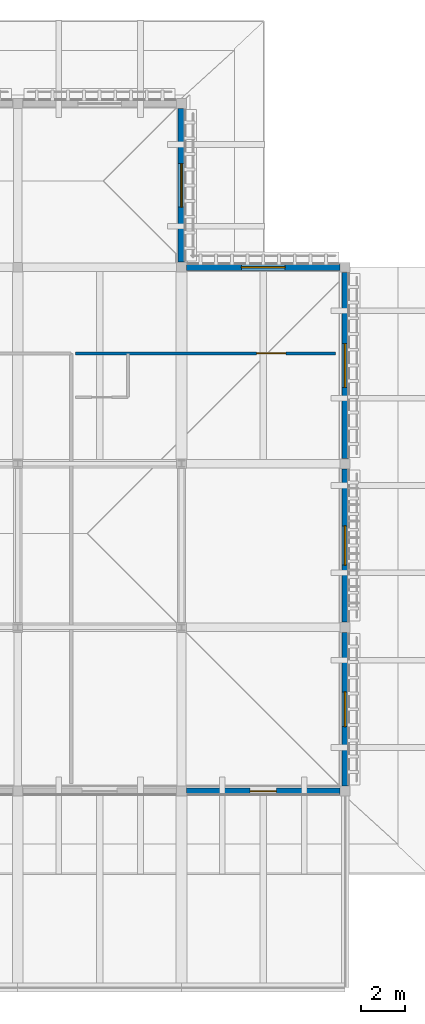
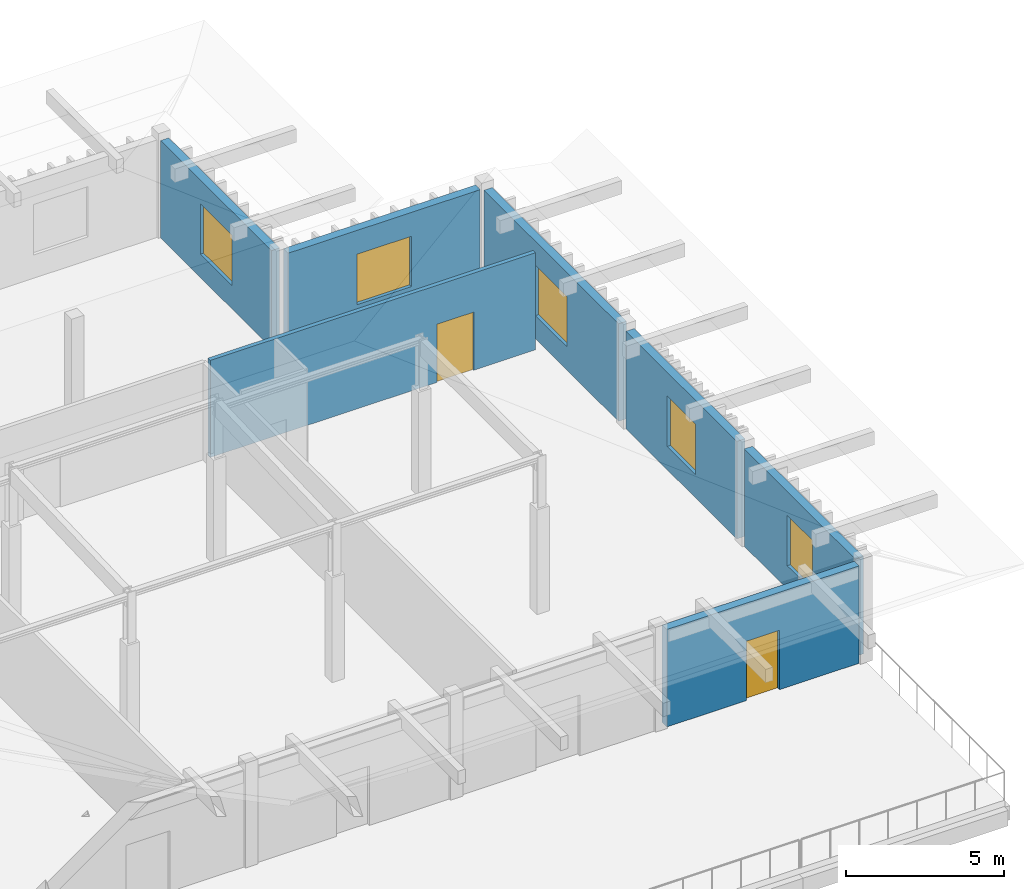
# One storey, part 28 of 48: 7 walls, 5 windows, 2 doors, 7 openings.
"""IFC4 building model written with IfcOpenShell, lengths in metres."""

from ifc_helpers import new_model, si_unit, direction, frame, frame_2d, origin, place, context, subcontext, project, spatial, rectangle, extrude, material, layer, layer_set, type_object, element, fill, save


model = new_model("IFC4")

# Units and contexts
model_context = context("Model", 3, precision=1e-05, world=origin(), true_north=direction((0.0, 1.0)))
body_context = subcontext(model_context, "Body", "Model", "MODEL_VIEW")
ifc_project = project(units=[si_unit("LENGTHUNIT", "METRE"), si_unit("AREAUNIT", "SQUARE_METRE"), si_unit("VOLUMEUNIT", "CUBIC_METRE"), si_unit("PLANEANGLEUNIT", "RADIAN"), si_unit("MASSUNIT", "GRAM", prefix="KILO")], contexts=[model_context])

# Site, building, storey
site_placement = place(None, origin())
site = spatial("IfcSite", under=ifc_project, at=site_placement, CompositionType="ELEMENT")
building_placement = place(site_placement, origin())
building = spatial("IfcBuilding", under=site, at=building_placement, Name="Dalvernix Boulevard General Hospital", CompositionType="ELEMENT")
storey_placement = place(building_placement, frame((0.0, 0.0, 17.85009765625)))
storey = spatial("IfcBuildingStorey", under=building, at=storey_placement, Name="L04", CompositionType="ELEMENT", Elevation=17.85009765625)

# Wall, opening, window
ifc_material_1 = material(Name="Pressed Catalan clay brick and ceramic spandrel wall C35/45", Category="masonry")
ifc_layer_1 = layer(ifc_material_1, 0.300048828125)
ifc_layer_set_1 = layer_set([ifc_layer_1], Name="Pressed Catalan clay brick and ceramic spandrel wall C35/45 (WAL-EW-02)")
wall_type_1 = type_object("IfcWallType", Name="WAL-EW-02", PredefinedType="STANDARD", material=ifc_layer_set_1)
wall_1_placement = place(storey_placement, frame((127.5, 116.764892578125, 0.0), z_axis=(0.0, 0.0, 1.0), x_axis=(0.0, -1.0, 0.0)))
wall_1 = element("IfcWall", 1, at=wall_1_placement, inside=storey, type_object=wall_type_1, Name="L04 Catalan brick external wall E 17-14", PredefinedType="STANDARD", context=body_context, shape_type="SweptSolid", body=[
    extrude(rectangle(XDim=7.02978515625, YDim=0.300048828125, at=frame_2d((3.514892578125, 0.0))), origin(), (0.0, 0.0, 1.0), 3.77001953125),
])
opening_1_placement = place(wall_1_placement, frame((2.514892578125, 0.0, 0.89990234375)))
opening_1 = element("IfcOpeningElement", 2, at=opening_1_placement, cuts=wall_1, Name="Opening WN-12", PredefinedType="OPENING", context=body_context, shape_type="SweptSolid", body=[
    extrude(rectangle(XDim=2.0, YDim=1.949951171875, at=frame_2d((1.0, 0.97509765625))), frame((0.0, 0.159912109375, 0.0), z_axis=(0.0, -1.0, 0.0), x_axis=(1.0, 0.0, 0.0)), (0.0, 0.0, 1.0), 0.320068359375),
])
ifc_material_2 = material(Name="Thermally broken aluminium frame with solar-control double glazing", Category="aluminium")
window_type_1 = type_object("IfcWindowType", Name="WIN-WN-12", PartitioningType="SINGLE_PANEL", PredefinedType="WINDOW", material=ifc_material_2)
window_1_placement = place(opening_1_placement, origin())
window_1 = element("IfcWindow", 3, at=window_1_placement, inside=storey, type_object=window_type_1, Name="L04 clinical window WN-12 E 17-14", OverallHeight=1.949951171875, OverallWidth=2.0, PartitioningType="SINGLE_PANEL", PredefinedType="WINDOW", context=body_context, shape_type="SweptSolid", body=[
    extrude(rectangle(XDim=2.0, YDim=1.949951171875, at=frame_2d((1.0, 0.97509765625))), frame((0.0, 0.030029296875, 0.0), z_axis=(0.0, -1.0, 0.0), x_axis=(1.0, 0.0, 0.0)), (0.0, 0.0, 1.0), 0.06005859375),
])
fill(opening_1, window_1)

# Wall, opening, door
wall_2_placement = place(storey_placement, frame((134.764892578125, 85.5, 0.0), z_axis=(0.0, 0.0, 1.0), x_axis=(-1.0, 0.0, 0.0)))
wall_2 = element("IfcWall", 4, at=wall_2_placement, inside=storey, type_object=wall_type_1, Name="L04 Catalan brick external wall S 17-11", PredefinedType="STANDARD", context=body_context, shape_type="SweptSolid", body=[
    extrude(rectangle(XDim=7.02978515625, YDim=0.300048828125, at=frame_2d((3.514892578125, 0.0))), origin(), (0.0, 0.0, 1.0), 3.77001953125),
])
opening_2_placement = place(wall_2_placement, frame((2.9150390625, 0.0, 0.0)))
opening_2 = element("IfcOpeningElement", 5, at=opening_2_placement, cuts=wall_2, Name="Opening TD-12", PredefinedType="OPENING", context=body_context, shape_type="SweptSolid", body=[
    extrude(rectangle(XDim=1.199951171875, YDim=2.300048828125, at=frame_2d((0.60009765625, 1.14990234375))), frame((0.0, 0.159912109375, 0.0), z_axis=(0.0, -1.0, 0.0), x_axis=(1.0, 0.0, 0.0)), (0.0, 0.0, 1.0), 0.320068359375),
])
ifc_material_3 = material(Name="Powder-coated aluminium and laminated safety glass", Category="aluminium")
door_type_1 = type_object("IfcDoorType", Name="DR-TD-12", OperationType="NOTDEFINED", PredefinedType="DOOR", material=ifc_material_3)
door_1_placement = place(opening_2_placement, origin())
door_1 = element("IfcDoor", 6, at=door_1_placement, inside=storey, type_object=door_type_1, Name="L04 ward terrace access door S 17-11", OperationType="SINGLE_SWING_RIGHT", OverallHeight=2.300048828125, OverallWidth=1.199951171875, PredefinedType="DOOR", context=body_context, shape_type="SweptSolid", body=[
    extrude(rectangle(XDim=1.199951171875, YDim=2.300048828125, at=frame_2d((0.60009765625, 1.14990234375))), frame((0.0, 0.02490234375, 0.0), z_axis=(0.0, -1.0, 0.0), x_axis=(1.0, 0.0, 0.0)), (0.0, 0.0, 1.0), 0.050048828125),
])
fill(opening_2, door_1)

# Wall, opening, window
wall_3_placement = place(storey_placement, frame((135.0, 92.764892578125, 0.0), z_axis=(0.0, 0.0, 1.0), x_axis=(0.0, -1.0, 0.0)))
wall_3 = element("IfcWall", 7, at=wall_3_placement, inside=storey, type_object=wall_type_1, Name="L04 Catalan brick external wall E 18-11", PredefinedType="STANDARD", context=body_context, shape_type="SweptSolid", body=[
    extrude(rectangle(XDim=7.02978515625, YDim=0.300048828125, at=frame_2d((3.514892578125, 0.0))), origin(), (0.0, 0.0, 1.0), 3.77001953125),
])
opening_3_placement = place(wall_3_placement, frame((2.715087890625, 0.0, 0.89990234375)))
opening_3 = element("IfcOpeningElement", 8, at=opening_3_placement, cuts=wall_3, Name="Opening WN-10", PredefinedType="OPENING", context=body_context, shape_type="SweptSolid", body=[
    extrude(rectangle(XDim=1.60009765625, YDim=1.949951171875, at=frame_2d((0.800048828125, 0.97509765625))), frame((0.0, 0.159912109375, 0.0), z_axis=(0.0, -1.0, 0.0), x_axis=(1.0, 0.0, 0.0)), (0.0, 0.0, 1.0), 0.320068359375),
])
window_type_2 = type_object("IfcWindowType", Name="WIN-WN-10", PartitioningType="SINGLE_PANEL", PredefinedType="WINDOW", material=ifc_material_2)
window_2_placement = place(opening_3_placement, origin())
window_2 = element("IfcWindow", 9, at=window_2_placement, inside=storey, type_object=window_type_2, Name="L04 clinical window WN-10 E 18-11", OverallHeight=1.949951171875, OverallWidth=1.60009765625, PartitioningType="SINGLE_PANEL", PredefinedType="WINDOW", context=body_context, shape_type="SweptSolid", body=[
    extrude(rectangle(XDim=1.60009765625, YDim=1.949951171875, at=frame_2d((0.800048828125, 0.97509765625))), frame((0.0, 0.030029296875, 0.0), z_axis=(0.0, -1.0, 0.0), x_axis=(1.0, 0.0, 0.0)), (0.0, 0.0, 1.0), 0.06005859375),
])
fill(opening_3, window_2)

wall_4_placement = place(storey_placement, frame((135.0, 100.264892578125, 0.0), z_axis=(0.0, 0.0, 1.0), x_axis=(0.0, -1.0, 0.0)))
wall_4 = element("IfcWall", 10, at=wall_4_placement, inside=storey, type_object=wall_type_1, Name="L04 Catalan brick external wall E 18-12", PredefinedType="STANDARD", context=body_context, shape_type="SweptSolid", body=[
    extrude(rectangle(XDim=7.02978515625, YDim=0.300048828125, at=frame_2d((3.514892578125, 0.0))), origin(), (0.0, 0.0, 1.0), 3.77001953125),
])
opening_4_placement = place(wall_4_placement, frame((2.614990234375, 0.0, 0.89990234375)))
opening_4 = element("IfcOpeningElement", 11, at=opening_4_placement, cuts=wall_4, Name="Opening WN-11", PredefinedType="OPENING", context=body_context, shape_type="SweptSolid", body=[
    extrude(rectangle(XDim=1.800048828125, YDim=1.949951171875, at=frame_2d((0.89990234375, 0.97509765625))), frame((0.0, 0.159912109375, 0.0), z_axis=(0.0, -1.0, 0.0), x_axis=(1.0, 0.0, 0.0)), (0.0, 0.0, 1.0), 0.320068359375),
])
window_type_3 = type_object("IfcWindowType", Name="WIN-WN-11", PartitioningType="SINGLE_PANEL", PredefinedType="WINDOW", material=ifc_material_2)
window_3_placement = place(opening_4_placement, origin())
window_3 = element("IfcWindow", 12, at=window_3_placement, inside=storey, type_object=window_type_3, Name="L04 clinical window WN-11 E 18-12", OverallHeight=1.949951171875, OverallWidth=1.800048828125, PartitioningType="SINGLE_PANEL", PredefinedType="WINDOW", context=body_context, shape_type="SweptSolid", body=[
    extrude(rectangle(XDim=1.800048828125, YDim=1.949951171875, at=frame_2d((0.89990234375, 0.97509765625))), frame((0.0, 0.030029296875, 0.0), z_axis=(0.0, -1.0, 0.0), x_axis=(1.0, 0.0, 0.0)), (0.0, 0.0, 1.0), 0.06005859375),
])
fill(opening_4, window_3)

wall_5_placement = place(storey_placement, frame((127.735107421875, 109.5, 0.0), z_axis=(0.0, 0.0, 1.0), x_axis=(1.0, 0.0, 0.0)))
wall_5 = element("IfcWall", 13, at=wall_5_placement, inside=storey, type_object=wall_type_1, Name="L04 Catalan brick external wall N 17-14", PredefinedType="STANDARD", context=body_context, shape_type="SweptSolid", body=[
    extrude(rectangle(XDim=7.02978515625, YDim=0.300048828125, at=frame_2d((3.514892578125, 0.0))), origin(), (0.0, 0.0, 1.0), 3.77001953125),
])
opening_5_placement = place(wall_5_placement, frame((2.514892578125, 0.0, 0.89990234375)))
opening_5 = element("IfcOpeningElement", 14, at=opening_5_placement, cuts=wall_5, Name="Opening WN-12", PredefinedType="OPENING", context=body_context, shape_type="SweptSolid", body=[
    extrude(rectangle(XDim=2.0, YDim=1.949951171875, at=frame_2d((1.0, 0.97509765625))), frame((0.0, 0.159912109375, 0.0), z_axis=(0.0, -1.0, 0.0), x_axis=(1.0, 0.0, 0.0)), (0.0, 0.0, 1.0), 0.320068359375),
])
window_4_placement = place(opening_5_placement, origin())
window_4 = element("IfcWindow", 15, at=window_4_placement, inside=storey, type_object=window_type_1, Name="L04 clinical window WN-12 N 17-14", OverallHeight=1.949951171875, OverallWidth=2.0, PartitioningType="SINGLE_PANEL", PredefinedType="WINDOW", context=body_context, shape_type="SweptSolid", body=[
    extrude(rectangle(XDim=2.0, YDim=1.949951171875, at=frame_2d((1.0, 0.97509765625))), frame((0.0, 0.030029296875, 0.0), z_axis=(0.0, -1.0, 0.0), x_axis=(1.0, 0.0, 0.0)), (0.0, 0.0, 1.0), 0.06005859375),
])
fill(opening_5, window_4)

wall_6_placement = place(storey_placement, frame((135.0, 109.264892578125, 0.0), z_axis=(0.0, 0.0, 1.0), x_axis=(0.0, -1.0, 0.0)))
wall_6 = element("IfcWall", 16, at=wall_6_placement, inside=storey, type_object=wall_type_1, Name="L04 Catalan brick external wall E 18-13", PredefinedType="STANDARD", context=body_context, shape_type="SweptSolid", body=[
    extrude(rectangle(XDim=8.52978515625, YDim=0.300048828125, at=frame_2d((4.264892578125, 0.0))), origin(), (0.0, 0.0, 1.0), 3.77001953125),
])
opening_6_placement = place(wall_6_placement, frame((3.264892578125, 0.0, 0.89990234375)))
opening_6 = element("IfcOpeningElement", 17, at=opening_6_placement, cuts=wall_6, Name="Opening WN-12", PredefinedType="OPENING", context=body_context, shape_type="SweptSolid", body=[
    extrude(rectangle(XDim=2.0, YDim=1.949951171875, at=frame_2d((1.0, 0.97509765625))), frame((0.0, 0.159912109375, 0.0), z_axis=(0.0, -1.0, 0.0), x_axis=(1.0, 0.0, 0.0)), (0.0, 0.0, 1.0), 0.320068359375),
])
window_5_placement = place(opening_6_placement, origin())
window_5 = element("IfcWindow", 18, at=window_5_placement, inside=storey, type_object=window_type_1, Name="L04 clinical window WN-12 E 18-13", OverallHeight=1.949951171875, OverallWidth=2.0, PartitioningType="SINGLE_PANEL", PredefinedType="WINDOW", context=body_context, shape_type="SweptSolid", body=[
    extrude(rectangle(XDim=2.0, YDim=1.949951171875, at=frame_2d((1.0, 0.97509765625))), frame((0.0, 0.030029296875, 0.0), z_axis=(0.0, -1.0, 0.0), x_axis=(1.0, 0.0, 0.0)), (0.0, 0.0, 1.0), 0.06005859375),
])
fill(opening_6, window_5)

# Wall, opening, door
ifc_material_4 = material(Name="Acoustic double-stud gypsum inpatient partition")
ifc_layer_2 = layer(ifc_material_4, 0.14990234375)
ifc_layer_set_2 = layer_set([ifc_layer_2], Name="Acoustic double-stud gypsum inpatient partition (WAL-IW-04)")
wall_type_2 = type_object("IfcWallType", Name="WAL-IW-04", PredefinedType="PARTITIONING", material=ifc_layer_set_2)
wall_7_placement = place(storey_placement, frame((134.550048828125, 105.550048828125, 0.0), z_axis=(0.0, 0.0, 1.0), x_axis=(-1.0, 0.0, 0.0)))
wall_7 = element("IfcWall", 19, at=wall_7_placement, inside=storey, type_object=wall_type_2, Name="L04 Post-Operative Surgical Patient Room L04-08 corridor wall", PredefinedType="PARTITIONING", context=body_context, shape_type="SweptSolid", body=[
    extrude(rectangle(XDim=11.900146484375, YDim=0.14990234375, at=frame_2d((5.9501953125, 0.0))), origin(), (0.0, 0.0, 1.0), 3.7548828125),
])
opening_7_placement = place(wall_7_placement, frame((2.260009765625, 0.0, 0.0)))
opening_7 = element("IfcOpeningElement", 20, at=opening_7_placement, cuts=wall_7, Name="Opening ID-01", PredefinedType="OPENING", context=body_context, shape_type="SweptSolid", body=[
    extrude(rectangle(XDim=1.35009765625, YDim=2.25, at=frame_2d((0.675048828125, 1.125))), frame((0.0, 0.0849609375, 0.0), z_axis=(0.0, -1.0, 0.0), x_axis=(1.0, 0.0, 0.0)), (0.0, 0.0, 1.0), 0.169921875),
])
ifc_material_5 = material(Name="Hospital laminate acoustic timber and steel frame", Category="steel")
door_type_2 = type_object("IfcDoorType", Name="DR-ID-01", OperationType="NOTDEFINED", PredefinedType="DOOR", material=ifc_material_5)
door_2_placement = place(opening_7_placement, origin())
door_2 = element("IfcDoor", 21, at=door_2_placement, inside=storey, type_object=door_type_2, Name="L04 Post-Operative Surgical Patient Room L04-08 door", OperationType="SINGLE_SWING_LEFT", OverallHeight=2.25, OverallWidth=1.35009765625, PredefinedType="DOOR", context=body_context, shape_type="SweptSolid", body=[
    extrude(rectangle(XDim=1.35009765625, YDim=2.25, at=frame_2d((0.675048828125, 1.125))), frame((0.0, 0.02490234375, 0.0), z_axis=(0.0, -1.0, 0.0), x_axis=(1.0, 0.0, 0.0)), (0.0, 0.0, 1.0), 0.050048828125),
])
fill(opening_7, door_2)

save(model, "model.ifc")
